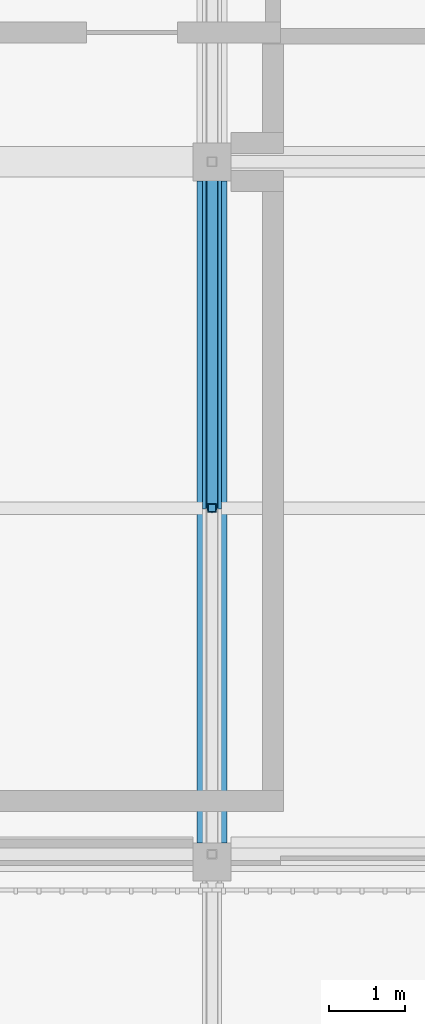
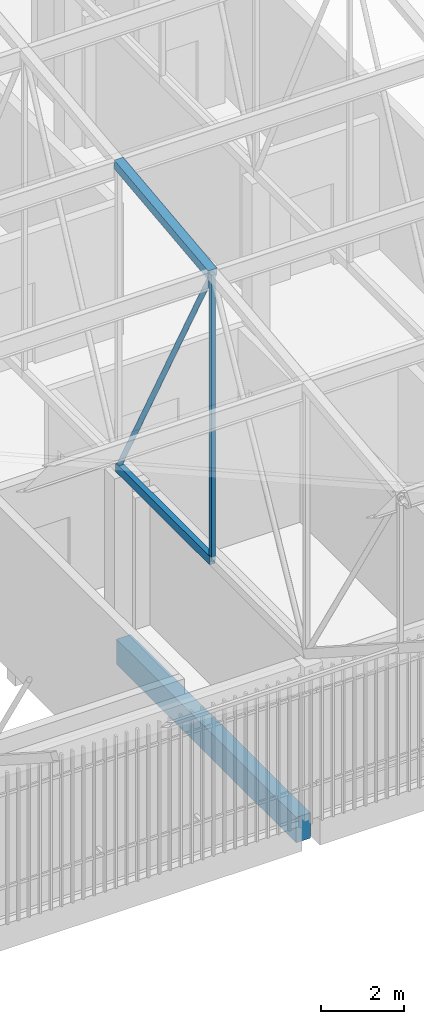
# One storey, part 29 of 500: 4 members, 1 beam.
"""IFC4 building model written with IfcOpenShell, lengths in metres."""

from ifc_helpers import new_model, si_unit, direction, frame, origin, origin_2d, place, context, subcontext, project, spatial, rectangle, hollow_rectangle, hollow_circle, extrude, material, material_profile, profile_set, type_object, element, save


model = new_model("IFC4")

# Units and contexts
model_context = context("Model", 3, precision=1e-05, world=origin(), true_north=direction((0.0, 1.0)))
body_context = subcontext(model_context, "Body", "Model", "MODEL_VIEW")
ifc_project = project(units=[si_unit("LENGTHUNIT", "METRE"), si_unit("AREAUNIT", "SQUARE_METRE"), si_unit("VOLUMEUNIT", "CUBIC_METRE"), si_unit("PLANEANGLEUNIT", "RADIAN"), si_unit("MASSUNIT", "GRAM", prefix="KILO")], contexts=[model_context])

# Site, building, storey
site_placement = place(None, origin())
site = spatial("IfcSite", under=ifc_project, at=site_placement, CompositionType="ELEMENT")
building_placement = place(site_placement, origin())
building = spatial("IfcBuilding", under=site, at=building_placement, Name="Shirokan Park Arena", CompositionType="ELEMENT")
storey_placement = place(building_placement, frame((0.0, 0.0, 29.1201171875)))
storey = spatial("IfcBuildingStorey", under=building, at=storey_placement, Name="L06", CompositionType="ELEMENT", Elevation=29.1201171875)

# Member
ifc_material_1 = material(Name="Steel ASTM A500 Grade C", Category="steel")
ifc_material_profile_1 = material_profile(ifc_material_1, hollow_rectangle(XDim=0.152099609375, YDim=0.25390625, WallThickness=0.009521484375, at=origin_2d()), Name="HSS254X152.4X9.5")
ifc_profile_set_1 = profile_set([ifc_material_profile_1], Name="Steel ASTM A500 Grade C")
member_type_1 = type_object("IfcMemberType", Name="Bottom chord HSS254X152.4X9.5", PredefinedType="CHORD", material=ifc_profile_set_1)
member_1_placement = place(storey_placement, frame((27.300048828125, 4.550048828125, 4.677001953125), z_axis=(0.0, 1.0, 0.0), x_axis=(-1.0, 0.0, 0.0)))
element("IfcMember", 1, at=member_1_placement, inside=storey, type_object=member_type_1, Name="Truss T04 bottom chord 4", PredefinedType="CHORD", context=body_context, shape_type="SweptSolid", body=[
    extrude(hollow_rectangle(XDim=0.152099609375, YDim=0.25390625, WallThickness=0.009521484375, at=origin_2d()), origin(), (0.0, 0.0, 1.0), 4.550048828125),
])

# Beam
ifc_material_2 = material(Name="Concrete C35", Category="concrete")
ifc_material_profile_2 = material_profile(ifc_material_2, rectangle(XDim=0.39990234375, YDim=0.75, at=origin_2d()), Name="400x750")
ifc_profile_set_2 = profile_set([ifc_material_profile_2], Name="Concrete C35")
beam_type = type_object("IfcBeamType", Name="RC girder 400x750", PredefinedType="BEAM", material=ifc_profile_set_2)
beam_placement = place(storey_placement, frame((27.300048828125, 0.150146484375, -0.5751953125), z_axis=(0.0, 1.0, 0.0), x_axis=(-1.0, 0.0, 0.0)))
element("IfcBeam", 2, at=beam_placement, inside=storey, type_object=beam_type, Name="Girder 4A-4B L06", PredefinedType="BEAM", context=body_context, shape_type="SweptSolid", body=[
    extrude(rectangle(XDim=0.39990234375, YDim=0.75, at=origin_2d()), origin(), (0.0, 0.0, 1.0), 8.69970703125),
])

# Members
ifc_material_profile_3 = material_profile(ifc_material_1, hollow_rectangle(XDim=0.25390625, YDim=0.25390625, WallThickness=0.009521484375, at=origin_2d()), Name="HSS254X254X9.5")
ifc_profile_set_3 = profile_set([ifc_material_profile_3], Name="Steel ASTM A500 Grade C")
member_type_2 = type_object("IfcMemberType", Name="Top chord HSS254X254X9.5", PredefinedType="CHORD", material=ifc_profile_set_3)
member_2_placement = place(storey_placement, frame((27.300048828125, 4.550048828125, 13.142822265625), z_axis=(0.0, 0.993532328996, 0.113549598152), x_axis=(-1.0, 0.0, 0.0)))
element("IfcMember", 3, at=member_2_placement, inside=storey, type_object=member_type_2, Name="Truss T04 top chord 4", PredefinedType="CHORD", context=body_context, shape_type="SweptSolid", body=[
    extrude(hollow_rectangle(XDim=0.25390625, YDim=0.25390625, WallThickness=0.009521484375, at=origin_2d()), origin(), (0.0, 0.0, 1.0), 4.57958984375),
])
ifc_material_profile_4 = material_profile(ifc_material_1, hollow_circle(Radius=0.070556640625, WallThickness=0.006591796875, at=origin_2d()), Name="HSS141.3X6.6")
ifc_profile_set_4 = profile_set([ifc_material_profile_4], Name="Steel ASTM A500 Grade C")
member_type_3 = type_object("IfcMemberType", Name="Truss diagonal HSS141.3X6.6", PredefinedType="BRACE", material=ifc_profile_set_4)
member_3_placement = place(storey_placement, frame((27.300048828125, 4.550048828125, 13.142822265625), z_axis=(0.0, 0.473416507165, -0.880838697347), x_axis=(-1.0, 0.0, 0.0)))
element("IfcMember", 4, at=member_3_placement, inside=storey, type_object=member_type_3, Name="Truss T04 diagonal 4", PredefinedType="BRACE", context=body_context, shape_type="SweptSolid", body=[
    extrude(hollow_circle(Radius=0.070556640625, WallThickness=0.006591796875, at=origin_2d()), origin(), (0.0, 0.0, 1.0), 9.611083984375),
])
ifc_material_profile_5 = material_profile(ifc_material_1, hollow_rectangle(XDim=0.114013671875, YDim=0.114013671875, WallThickness=0.00634765625, at=origin_2d()), Name="HSS114.3X114.3X6.4")
ifc_profile_set_5 = profile_set([ifc_material_profile_5], Name="Steel ASTM A500 Grade C")
member_type_4 = type_object("IfcMemberType", Name="Truss post HSS114.3X114.3X6.4", PredefinedType="POST", material=ifc_profile_set_5)
member_4_placement = place(storey_placement, frame((27.300048828125, 4.550048828125, 4.677001953125), z_axis=(0.0, 0.0, 1.0), x_axis=(1.0, 0.0, 0.0)))
element("IfcMember", 5, at=member_4_placement, inside=storey, type_object=member_type_4, Name="Truss T04 post 4", PredefinedType="POST", context=body_context, shape_type="SweptSolid", body=[
    extrude(hollow_rectangle(XDim=0.114013671875, YDim=0.114013671875, WallThickness=0.00634765625, at=origin_2d()), origin(), (0.0, 0.0, 1.0), 8.4658203125),
])

save(model, "model.ifc")
